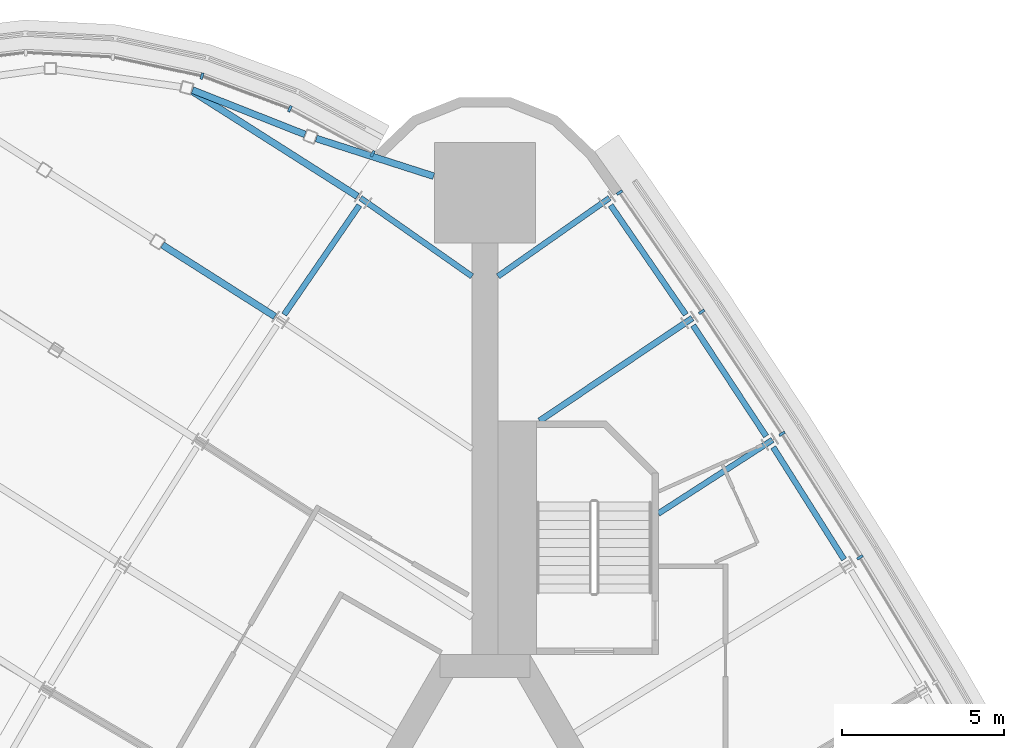
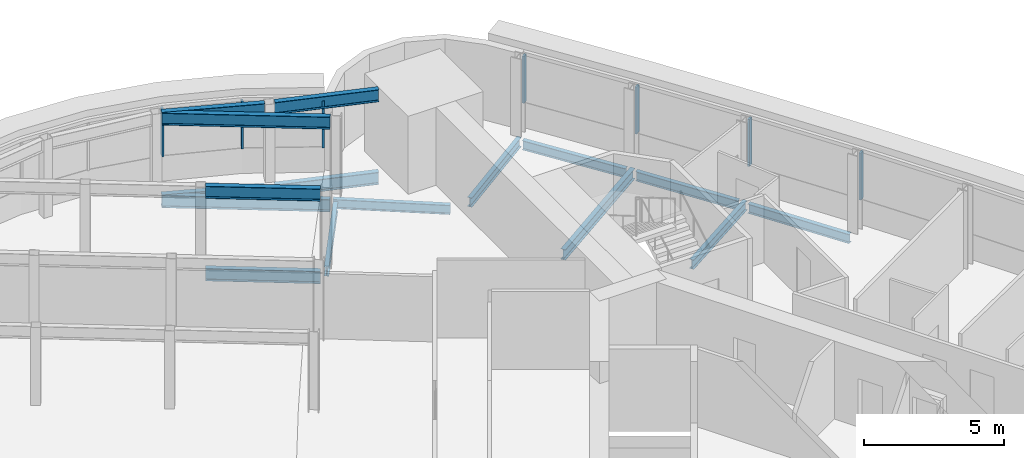
# One storey, part 9 of 17: 16 beams, 7 members, 2 elements without a shape of their own.
"""IFC4 building model written with IfcOpenShell, lengths in metres."""

from ifc_helpers import new_model, si_unit, direction, frame, origin, origin_2d, place, context, subcontext, project, spatial, rectangle, i_section, extrude, material, material_profile, profile_set, type_object, element, aggregate, save


model = new_model("IFC4")

# Units and contexts
model_context = context("Model", 3, precision=1e-05, world=origin(), true_north=direction((0.0, 1.0)))
body_context = subcontext(model_context, "Body", "Model", "MODEL_VIEW")
ifc_project = project(units=[si_unit("LENGTHUNIT", "METRE"), si_unit("AREAUNIT", "SQUARE_METRE"), si_unit("VOLUMEUNIT", "CUBIC_METRE"), si_unit("PLANEANGLEUNIT", "RADIAN"), si_unit("MASSUNIT", "GRAM", prefix="KILO")], contexts=[model_context])

# Site, building, storey
site_placement = place(None, origin())
site = spatial("IfcSite", under=ifc_project, at=site_placement, CompositionType="ELEMENT")
building_placement = place(site_placement, origin())
building = spatial("IfcBuilding", under=site, at=building_placement, Name="Noor Cloister Tower", CompositionType="ELEMENT")
storey_placement = place(building_placement, frame((0.0, 0.0, 102.300048828125)))
storey = spatial("IfcBuildingStorey", under=building, at=storey_placement, Name="L26", CompositionType="ELEMENT", Elevation=102.300048828125)

# Curtain wall, members
ifc_material_1 = material(Name="Aluminium 6063-T6 anodised", Category="aluminium")
curtain_wall_type_1 = type_object("IfcCurtainWallType", Name="Ribbon curtain wall, lower tower CW1", PredefinedType="NOTDEFINED", material=ifc_material_1)
curtain_wall_1_placement = place(storey_placement, origin())
curtain_wall_1 = element("IfcCurtainWall", 1, at=curtain_wall_1_placement, inside=storey, type_object=curtain_wall_type_1, Name="CW1 L26 NE run 4", PredefinedType="NOTDEFINED")
ifc_material_2 = material(Name="Aluminium 6063-T6 anodised", Category="aluminium")
ifc_material_profile_1 = material_profile(ifc_material_2, rectangle(XDim=0.199951171875, YDim=0.080078125, at=origin_2d()), Name="200 x 80 mullion")
ifc_profile_set_1 = profile_set([ifc_material_profile_1], Name="Aluminium 6063-T6 anodised")
member_type_1 = type_object("IfcMemberType", Name="Mullion CW1 80 x 200", PredefinedType="MULLION", material=ifc_profile_set_1)
member_1_placement = place(storey_placement, frame((11.546875, 14.456298828125, 1.099853515625), z_axis=(0.0, 0.0, 1.0), x_axis=(-0.850887652489, -0.525347697094, 0.0)))
member_1 = element("IfcMember", 2, at=member_1_placement, type_object=member_type_1, Name="CW1 mullion 7", PredefinedType="MULLION", context=body_context, shape_type="SweptSolid", body=[
    extrude(rectangle(XDim=0.199951171875, YDim=0.080078125, at=origin_2d()), origin(), (0.0, 0.0, 1.0), 2.050048828125),
])
member_2_placement = place(storey_placement, frame((9.146240234375, 18.260009765625, 1.099853515625), z_axis=(0.0, 0.0, 1.0), x_axis=(-0.840382937583, -0.541993097945, 0.0)))
member_2 = element("IfcMember", 3, at=member_2_placement, type_object=member_type_1, Name="CW1 mullion 8", PredefinedType="MULLION", context=body_context, shape_type="SweptSolid", body=[
    extrude(rectangle(XDim=0.199951171875, YDim=0.080078125, at=origin_2d()), origin(), (0.0, 0.0, 1.0), 2.050048828125),
])
member_3_placement = place(storey_placement, frame((6.67138671875, 22.015869140625, 1.099853515625), z_axis=(0.0, 0.0, 1.0), x_axis=(-0.829552633113, -0.558428535173, 0.0)))
member_3 = element("IfcMember", 4, at=member_3_placement, type_object=member_type_1, Name="CW1 mullion 9", PredefinedType="MULLION", context=body_context, shape_type="SweptSolid", body=[
    extrude(rectangle(XDim=0.199951171875, YDim=0.080078125, at=origin_2d()), origin(), (0.0, 0.0, 1.0), 2.050048828125),
])
member_4_placement = place(storey_placement, frame((4.14501953125, 25.690185546875, 1.099853515625), z_axis=(0.0, 0.0, 1.0), x_axis=(-0.8240166995, -0.566565511609, 0.0)))
member_4 = element("IfcMember", 5, at=member_4_placement, type_object=member_type_1, Name="CW1 mullion 10", PredefinedType="MULLION", context=body_context, shape_type="SweptSolid", body=[
    extrude(rectangle(XDim=0.199951171875, YDim=0.080078125, at=origin_2d()), origin(), (0.0, 0.0, 1.0), 2.050048828125),
])
aggregate(curtain_wall_1, [member_1, member_2, member_3, member_4])

ifc_material_3 = material(Name="Aluminium 6063-T6 anodised", Category="aluminium")
curtain_wall_type_2 = type_object("IfcCurtainWallType", Name="Sky bar curtain wall, lower bars CW2", PredefinedType="NOTDEFINED", material=ifc_material_3)
curtain_wall_2_placement = place(storey_placement, origin())
curtain_wall_2 = element("IfcCurtainWall", 6, at=curtain_wall_2_placement, inside=storey, type_object=curtain_wall_type_2, Name="CW2 L26 NW sky bar run 1", PredefinedType="NOTDEFINED")
ifc_material_4 = material(Name="Aluminium 6063-T6 anodised", Category="aluminium")
ifc_material_profile_2 = material_profile(ifc_material_4, rectangle(XDim=0.199951171875, YDim=0.080078125, at=origin_2d()), Name="200 x 80 mullion")
ifc_profile_set_2 = profile_set([ifc_material_profile_2], Name="Aluminium 6063-T6 anodised")
member_type_2 = type_object("IfcMemberType", Name="Mullion CW2 80 x 200", PredefinedType="MULLION", material=ifc_profile_set_2)
member_5_placement = place(storey_placement, frame((-3.45849609375, 26.8837890625, 1.099853515625), z_axis=(0.0, 0.0, 1.0), x_axis=(-0.476733850271, -0.879047686992, 0.0)))
member_5 = element("IfcMember", 7, at=member_5_placement, type_object=member_type_2, Name="CW2 mullion 1", PredefinedType="MULLION", context=body_context, shape_type="SweptSolid", body=[
    extrude(rectangle(XDim=0.199951171875, YDim=0.080078125, at=origin_2d()), origin(), (0.0, 0.0, 1.0), 2.050048828125),
])
member_6_placement = place(storey_placement, frame((-6.007568359375, 28.266357421875, 1.099853515625), z_axis=(0.0, 0.0, 1.0), x_axis=(-0.413885361779, -0.910329010471, 0.0)))
member_6 = element("IfcMember", 8, at=member_6_placement, type_object=member_type_2, Name="CW2 mullion 2", PredefinedType="MULLION", context=body_context, shape_type="SweptSolid", body=[
    extrude(rectangle(XDim=0.199951171875, YDim=0.080078125, at=origin_2d()), origin(), (0.0, 0.0, 1.0), 2.050048828125),
])
member_7_placement = place(storey_placement, frame((-8.715087890625, 29.274658203125, 1.099853515625), z_axis=(0.0, 0.0, 1.0), x_axis=(-0.279338193342, -0.960192779467, 0.0)))
member_7 = element("IfcMember", 9, at=member_7_placement, type_object=member_type_2, Name="CW2 mullion 3", PredefinedType="MULLION", context=body_context, shape_type="SweptSolid", body=[
    extrude(rectangle(XDim=0.199951171875, YDim=0.080078125, at=origin_2d()), origin(), (0.0, 0.0, 1.0), 2.050048828125),
])
aggregate(curtain_wall_2, [member_5, member_6, member_7])

# Beams
ifc_material_5 = material(Name="Steel ASTM A992 Gr 50", Category="steel")
ifc_material_profile_3 = material_profile(ifc_material_5, i_section(OverallWidth=0.208984375, OverallDepth=0.532958984375, WebThickness=0.01025390625, FlangeThickness=0.015625, FilletRadius=0.0126953125, at=origin_2d()), Name="W530x92")
ifc_profile_set_3 = profile_set([ifc_material_profile_3], Name="Steel ASTM A992 Gr 50")
beam_type_1 = type_object("IfcBeamType", Name="Pod floor beam W530x92", PredefinedType="BEAM", material=ifc_profile_set_3)
beam_1_placement = place(storey_placement, frame((-3.92724609375, 25.5732421875, -0.466552734375), z_axis=(-0.843989215704, 0.536360143724, 0.0), x_axis=(-0.536360143724, -0.843989215704, 0.0)))
element("IfcBeam", 10, at=beam_1_placement, inside=storey, type_object=beam_type_1, Name="Pod floor beam 2 L26 line 1 span 1", PredefinedType="BEAM", context=body_context, shape_type="SweptSolid", body=[
    extrude(i_section(OverallWidth=0.208984375, OverallDepth=0.532958984375, WebThickness=0.01025390625, FlangeThickness=0.015625, FilletRadius=0.0126953125, at=origin_2d()), origin(), (0.0, 0.0, 1.0), 6.00927734375),
])
beam_2_placement = place(storey_placement, frame((-6.46875, 21.873046875, -0.466552734375), z_axis=(-0.843972285971, 0.536386782566, 0.0), x_axis=(-0.536386782566, -0.843972285971, 0.0)))
element("IfcBeam", 11, at=beam_2_placement, inside=storey, type_object=beam_type_1, Name="Pod floor beam 2 L26 line 2 span 1", PredefinedType="BEAM", context=body_context, shape_type="SweptSolid", body=[
    extrude(i_section(OverallWidth=0.208984375, OverallDepth=0.532958984375, WebThickness=0.01025390625, FlangeThickness=0.015625, FilletRadius=0.0126953125, at=origin_2d()), origin(), (0.0, 0.0, 1.0), 4.10595703125),
])
beam_3_placement = place(storey_placement, frame((-1.581787109375, 26.192138671875, -0.466552734375), z_axis=(-0.952053300832, 0.305932202252, 0.0), x_axis=(-0.305932202252, -0.952053300832, 0.0)))
element("IfcBeam", 12, at=beam_3_placement, inside=storey, type_object=beam_type_1, Name="Pod floor beam 2 L26 ring 1", PredefinedType="BEAM", context=body_context, shape_type="SweptSolid", body=[
    extrude(i_section(OverallWidth=0.208984375, OverallDepth=0.532958984375, WebThickness=0.01025390625, FlangeThickness=0.015625, FilletRadius=0.0126953125, at=origin_2d()), origin(), (0.0, 0.0, 1.0), 3.798583984375),
])
beam_4_placement = place(storey_placement, frame((-5.5400390625, 27.47607421875, -0.466552734375), z_axis=(-0.930165819352, 0.367139685283, 0.0), x_axis=(-0.367139685283, -0.930165819352, 0.0)))
element("IfcBeam", 13, at=beam_4_placement, inside=storey, type_object=beam_type_1, Name="Pod floor beam 2 L26 ring 2", PredefinedType="BEAM", context=body_context, shape_type="SweptSolid", body=[
    extrude(i_section(OverallWidth=0.208984375, OverallDepth=0.532958984375, WebThickness=0.01025390625, FlangeThickness=0.015625, FilletRadius=0.0126953125, at=origin_2d()), origin(), (0.0, 0.0, 1.0), 3.7265625),
])
beam_5_placement = place(storey_placement, frame((-3.92724609375, 25.5732421875, 3.133544921875), z_axis=(-0.843989215704, 0.536360143724, 0.0), x_axis=(-0.536360143724, -0.843989215704, 0.0)))
element("IfcBeam", 14, at=beam_5_placement, inside=storey, type_object=beam_type_1, Name="Pod floor beam 2 L27 line 1 span 1", PredefinedType="BEAM", context=body_context, shape_type="SweptSolid", body=[
    extrude(i_section(OverallWidth=0.208984375, OverallDepth=0.532958984375, WebThickness=0.01025390625, FlangeThickness=0.015625, FilletRadius=0.0126953125, at=origin_2d()), origin(), (0.0, 0.0, 1.0), 6.00927734375),
])
beam_6_placement = place(storey_placement, frame((-6.46875, 21.873046875, 3.133544921875), z_axis=(-0.843972285971, 0.536386782566, 0.0), x_axis=(-0.536386782566, -0.843972285971, 0.0)))
element("IfcBeam", 15, at=beam_6_placement, inside=storey, type_object=beam_type_1, Name="Pod floor beam 2 L27 line 2 span 1", PredefinedType="BEAM", context=body_context, shape_type="SweptSolid", body=[
    extrude(i_section(OverallWidth=0.208984375, OverallDepth=0.532958984375, WebThickness=0.01025390625, FlangeThickness=0.015625, FilletRadius=0.0126953125, at=origin_2d()), origin(), (0.0, 0.0, 1.0), 4.10595703125),
])
beam_7_placement = place(storey_placement, frame((-1.581787109375, 26.192138671875, 3.133544921875), z_axis=(-0.952053300832, 0.305932202252, 0.0), x_axis=(-0.305932202252, -0.952053300832, 0.0)))
element("IfcBeam", 16, at=beam_7_placement, inside=storey, type_object=beam_type_1, Name="Pod floor beam 2 L27 ring 1", PredefinedType="BEAM", context=body_context, shape_type="SweptSolid", body=[
    extrude(i_section(OverallWidth=0.208984375, OverallDepth=0.532958984375, WebThickness=0.01025390625, FlangeThickness=0.015625, FilletRadius=0.0126953125, at=origin_2d()), origin(), (0.0, 0.0, 1.0), 3.798583984375),
])
beam_8_placement = place(storey_placement, frame((-5.5400390625, 27.47607421875, 3.133544921875), z_axis=(-0.930165819352, 0.367139685283, 0.0), x_axis=(-0.367139685283, -0.930165819352, 0.0)))
element("IfcBeam", 17, at=beam_8_placement, inside=storey, type_object=beam_type_1, Name="Pod floor beam 2 L27 ring 2", PredefinedType="BEAM", context=body_context, shape_type="SweptSolid", body=[
    extrude(i_section(OverallWidth=0.208984375, OverallDepth=0.532958984375, WebThickness=0.01025390625, FlangeThickness=0.015625, FilletRadius=0.0126953125, at=origin_2d()), origin(), (0.0, 0.0, 1.0), 3.7265625),
])
ifc_material_6 = material(Name="Steel ASTM A992 Gr 50", Category="steel")
ifc_material_profile_4 = material_profile(ifc_material_6, i_section(OverallWidth=0.177978515625, OverallDepth=0.406005859375, WebThickness=0.0078125, FlangeThickness=0.0126953125, FilletRadius=0.01025390625, at=origin_2d()), Name="W410x60")
ifc_profile_set_4 = profile_set([ifc_material_profile_4], Name="Steel ASTM A992 Gr 50")
beam_type_2 = type_object("IfcBeamType", Name="Radial beam W410x60", PredefinedType="BEAM", material=ifc_profile_set_4)
beam_9_placement = place(storey_placement, frame((-3.8369140625, 25.521484375, -0.403076171875), z_axis=(0.818400808942, -0.574647819036, 0.0), x_axis=(0.574647819036, 0.818400808942, 0.0)))
element("IfcBeam", 18, at=beam_9_placement, inside=storey, type_object=beam_type_2, Name="Radial beam NW 01 L26", PredefinedType="BEAM", context=body_context, shape_type="SweptSolid", body=[
    extrude(i_section(OverallWidth=0.177978515625, OverallDepth=0.406005859375, WebThickness=0.0078125, FlangeThickness=0.0126953125, FilletRadius=0.01025390625, at=origin_2d()), origin(), (0.0, 0.0, 1.0), 4.19970703125),
])
beam_10_placement = place(storey_placement, frame((8.8525390625, 18.070556640625, -0.403076171875), z_axis=(-0.840390940062, -0.541980689565, 0.0), x_axis=(0.541980689565, -0.840390940062, 0.0)))
element("IfcBeam", 19, at=beam_10_placement, inside=storey, type_object=beam_type_2, Name="Radial beam NE 08 L26", PredefinedType="BEAM", context=body_context, shape_type="SweptSolid", body=[
    extrude(i_section(OverallWidth=0.177978515625, OverallDepth=0.406005859375, WebThickness=0.0078125, FlangeThickness=0.0126953125, FilletRadius=0.01025390625, at=origin_2d()), origin(), (0.0, 0.0, 1.0), 4.184814453125),
])
beam_11_placement = place(storey_placement, frame((3.8369140625, 25.521484375, -0.403076171875), z_axis=(-0.818400808942, -0.574647819036, 0.0), x_axis=(0.574647819036, -0.818400808942, 0.0)))
element("IfcBeam", 20, at=beam_11_placement, inside=storey, type_object=beam_type_2, Name="Radial beam NE 10 L26", PredefinedType="BEAM", context=body_context, shape_type="SweptSolid", body=[
    extrude(i_section(OverallWidth=0.177978515625, OverallDepth=0.406005859375, WebThickness=0.0078125, FlangeThickness=0.0126953125, FilletRadius=0.01025390625, at=origin_2d()), origin(), (0.0, 0.0, 1.0), 4.19970703125),
])
ifc_material_7 = material(Name="Steel ASTM A992 Gr 50", Category="steel")
ifc_material_profile_5 = material_profile(ifc_material_7, i_section(OverallWidth=0.19091796875, OverallDepth=0.45703125, WebThickness=0.009033203125, FlangeThickness=0.014404296875, FilletRadius=0.01025390625, at=origin_2d()), Name="W460x74")
ifc_profile_set_5 = profile_set([ifc_material_profile_5], Name="Steel ASTM A992 Gr 50")
beam_type_3 = type_object("IfcBeamType", Name="Radial beam W460x74", PredefinedType="BEAM", material=ifc_profile_set_5)
beam_12_placement = place(storey_placement, frame((6.38134765625, 21.82080078125, -0.428466796875), z_axis=(-0.829556274272, -0.558423126147, 0.0), x_axis=(0.558423126147, -0.829556274272, 0.0)))
element("IfcBeam", 21, at=beam_12_placement, inside=storey, type_object=beam_type_3, Name="Radial beam NE 09 L26", PredefinedType="BEAM", context=body_context, shape_type="SweptSolid", body=[
    extrude(i_section(OverallWidth=0.19091796875, OverallDepth=0.45703125, WebThickness=0.009033203125, FlangeThickness=0.014404296875, FilletRadius=0.01025390625, at=origin_2d()), origin(), (0.0, 0.0, 1.0), 5.66650390625),
])
ifc_material_8 = material(Name="Steel ASTM A992 Gr 50", Category="steel")
ifc_material_profile_6 = material_profile(ifc_material_8, i_section(OverallWidth=0.177978515625, OverallDepth=0.406005859375, WebThickness=0.0078125, FlangeThickness=0.0126953125, FilletRadius=0.01025390625, at=origin_2d()), Name="W410x60")
ifc_profile_set_6 = profile_set([ifc_material_profile_6], Name="Steel ASTM A992 Gr 50")
beam_type_4 = type_object("IfcBeamType", Name="Spandrel beam W410x60", PredefinedType="SPANDREL", material=ifc_profile_set_6)
for number, where, z_axis, x_axis, name in (
    (22, (-3.8681640625, 25.29833984375, -0.403076171875), (-0.566564305905, -0.8240175285, 0.0), (0.8240175285, -0.566564305905, 0.0), "Spandrel beam NW 01 L26"),
    (23, (11.056884765625, 14.389404296875, -0.403076171875), (-0.533703118947, 0.845671910865, 0.0), (-0.845671910865, -0.533703118947, 0.0), "Spandrel beam NE 07 L26"),
    (24, (8.65771484375, 18.18359375, -0.403076171875), (-0.550254695105, 0.834996868566, 0.0), (-0.834996868566, -0.550254695105, 0.0), "Spandrel beam NE 08 L26"),
    (25, (6.184326171875, 21.9296875, -0.403076171875), (-0.566564305905, 0.8240175285, 0.0), (-0.8240175285, -0.566564305905, 0.0), "Spandrel beam NE 09 L26"),
):
    element("IfcBeam", number, at=place(storey_placement, frame(where, z_axis=z_axis, x_axis=x_axis)), inside=storey, type_object=beam_type_4, Name=name, PredefinedType="SPANDREL", context=body_context, shape_type="SweptSolid", body=[
        extrude(i_section(OverallWidth=0.177978515625, OverallDepth=0.406005859375, WebThickness=0.0078125, FlangeThickness=0.0126953125, FilletRadius=0.01025390625, at=origin_2d()), origin(), (0.0, 0.0, 1.0), 4.088134765625),
    ])

save(model, "model.ifc")
